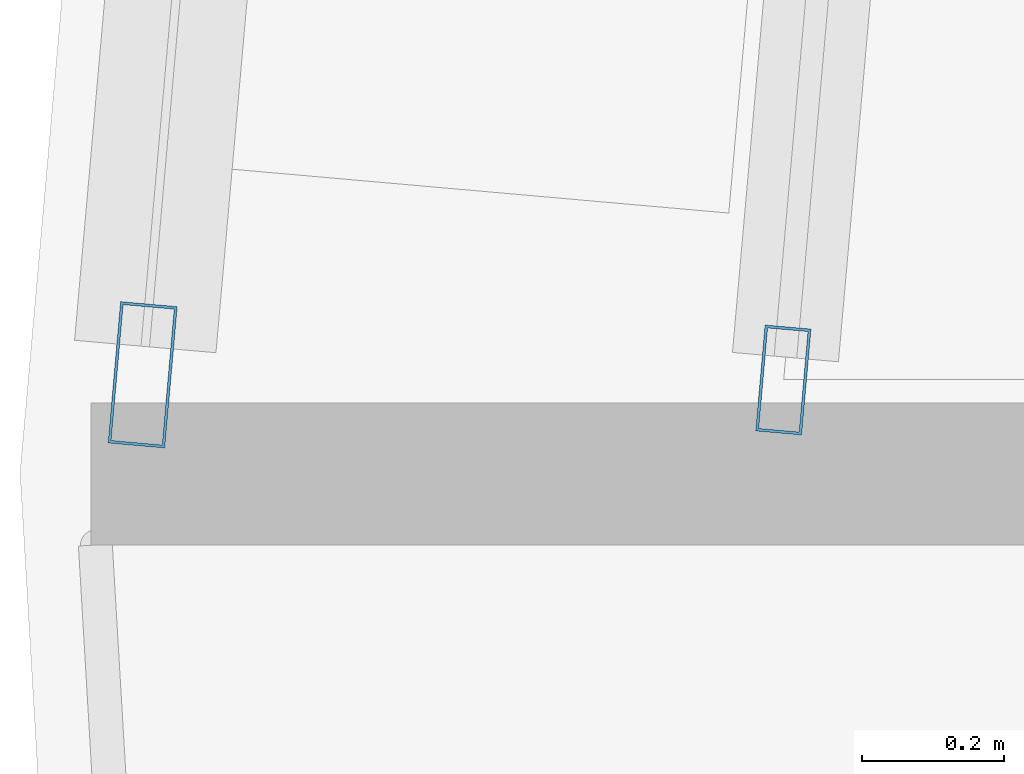
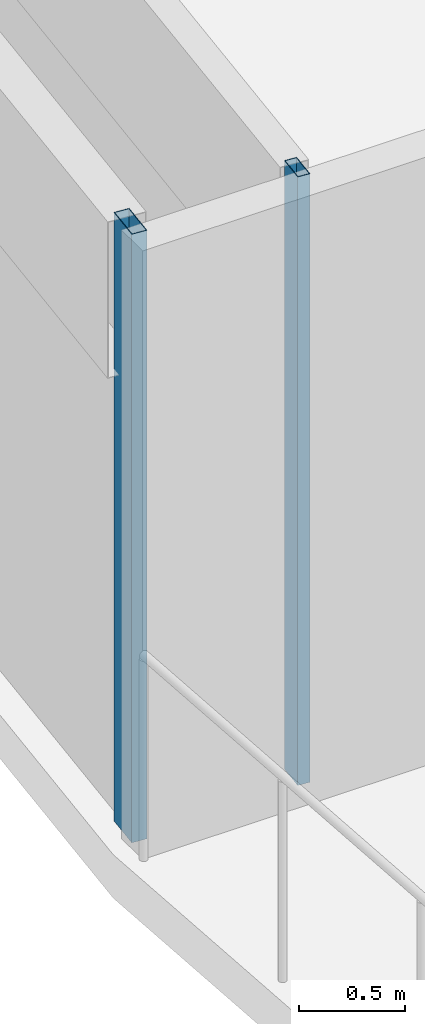
# One storey, part 8 of 39: 2 members, 2 elements without a shape of their own.
"""IFC4 building model written with IfcOpenShell, lengths in metres."""

from ifc_helpers import new_model, si_unit, direction, frame, origin, origin_2d, place, context, subcontext, project, spatial, hollow_rectangle, extrude, material, material_profile, profile_set, type_object, element, aggregate, save


model = new_model("IFC4")

# Units and contexts
model_context = context("Model", 3, precision=1e-05, world=origin(), true_north=direction((0.0, 1.0)))
body_context = subcontext(model_context, "Body", "Model", "MODEL_VIEW")
ifc_project = project(units=[si_unit("LENGTHUNIT", "METRE"), si_unit("AREAUNIT", "SQUARE_METRE"), si_unit("VOLUMEUNIT", "CUBIC_METRE"), si_unit("PLANEANGLEUNIT", "RADIAN"), si_unit("MASSUNIT", "GRAM", prefix="KILO")], contexts=[model_context])

# Site, building, storey
site_placement = place(None, origin())
site = spatial("IfcSite", under=ifc_project, at=site_placement, CompositionType="ELEMENT")
building_placement = place(site_placement, origin())
building = spatial("IfcBuilding", under=site, at=building_placement, Name="Rekha Terrace Tower", CompositionType="ELEMENT")
storey_placement = place(building_placement, frame((0.0, 0.0, 221.449951171875)))
storey = spatial("IfcBuildingStorey", under=building, at=storey_placement, Name="L56", CompositionType="ELEMENT", Elevation=221.449951171875)

# Curtain wall, member
ifc_material_1 = material(Name="Aluminium framing", Category="aluminium")
curtain_wall_type_1 = type_object("IfcCurtainWallType", Name="CW1 double skin inner glazing", PredefinedType="USERDEFINED", material=ifc_material_1)
curtain_wall_1_placement = place(storey_placement, origin())
curtain_wall_1 = element("IfcCurtainWall", 1, at=curtain_wall_1_placement, inside=storey, type_object=curtain_wall_type_1, Name="CW1 double skin inner glazing", ObjectType="DOUBLE SKIN INNER GLAZING", PredefinedType="USERDEFINED")
ifc_material_2 = material(Name="Aluminium mullion section", Category="aluminium")
ifc_material_profile_1 = material_profile(ifc_material_2, hollow_rectangle(XDim=0.06494140625, YDim=0.14990234375, WallThickness=0.00390625, at=origin_2d()), Name="AL RHS 65x150")
ifc_profile_set_1 = profile_set([ifc_material_profile_1], Name="Aluminium mullion section")
member_type_1 = type_object("IfcMemberType", Name="CW1 mullion RHS 65 x 150", PredefinedType="MULLION", material=ifc_profile_set_1)
member_1_placement = place(storey_placement, frame((6.2255859375, 42.46044921875, 0.0), z_axis=(0.0, 0.0, 1.0), x_axis=(0.996124185424, -0.087957985505, 0.0)))
member_1 = element("IfcMember", 2, at=member_1_placement, type_object=member_type_1, Name="CW1 mullion 3", PredefinedType="MULLION", context=body_context, shape_type="SweptSolid", body=[
    extrude(hollow_rectangle(XDim=0.06494140625, YDim=0.14990234375, WallThickness=0.00390625, at=origin_2d()), origin(), (0.0, 0.0, 1.0), 3.5),
])
aggregate(curtain_wall_1, [member_1])

curtain_wall_type_2 = type_object("IfcCurtainWallType", Name="CW2 double skin outer glazing", PredefinedType="USERDEFINED", material=ifc_material_1)
curtain_wall_2_placement = place(storey_placement, origin())
curtain_wall_2 = element("IfcCurtainWall", 3, at=curtain_wall_2_placement, inside=storey, type_object=curtain_wall_type_2, Name="CW2 double skin outer glazing", ObjectType="DOUBLE SKIN OUTER GLAZING", PredefinedType="USERDEFINED")
ifc_material_profile_2 = material_profile(ifc_material_2, hollow_rectangle(XDim=0.080078125, YDim=0.199951171875, WallThickness=0.00390625, at=origin_2d()), Name="AL RHS 80x200")
ifc_profile_set_2 = profile_set([ifc_material_profile_2], Name="Aluminium mullion section")
member_type_2 = type_object("IfcMemberType", Name="CW2 mullion RHS 80 x 200", PredefinedType="MULLION", material=ifc_profile_set_2)
member_2_placement = place(storey_placement, frame((5.32275390625, 42.4677734375, 0.0), z_axis=(0.0, 0.0, 1.0), x_axis=(0.996124185428, -0.087957985453, 0.0)))
member_2 = element("IfcMember", 4, at=member_2_placement, type_object=member_type_2, Name="CW2 mullion 3", PredefinedType="MULLION", context=body_context, shape_type="SweptSolid", body=[
    extrude(hollow_rectangle(XDim=0.080078125, YDim=0.199951171875, WallThickness=0.00390625, at=origin_2d()), origin(), (0.0, 0.0, 1.0), 3.5),
])
aggregate(curtain_wall_2, [member_2])

save(model, "model.ifc")
